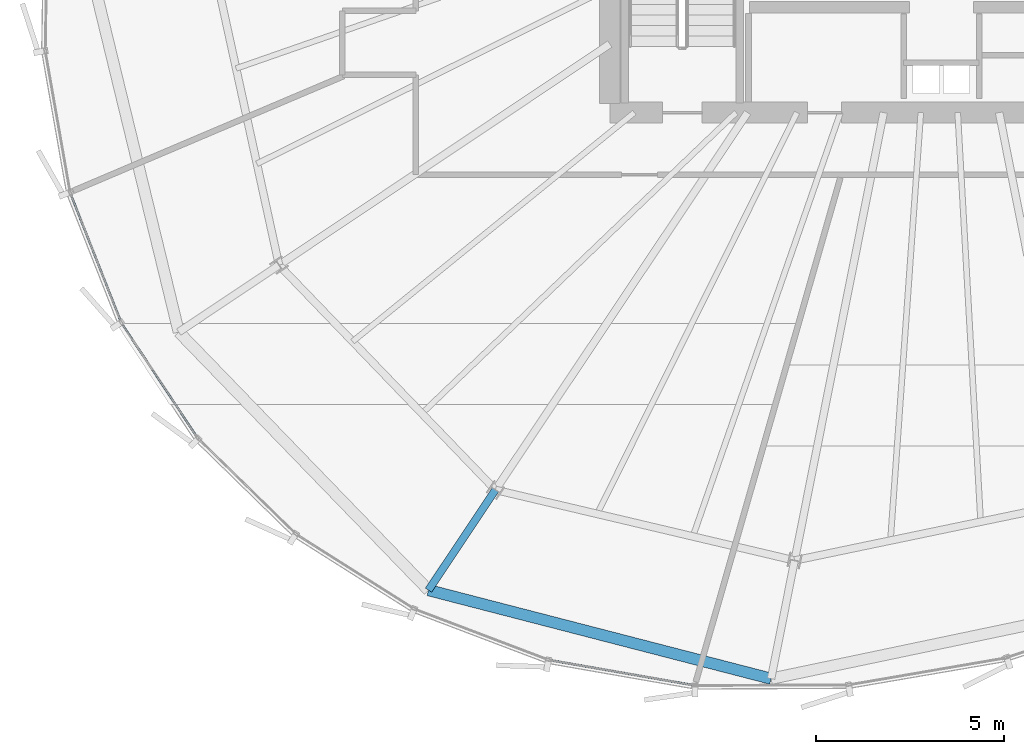
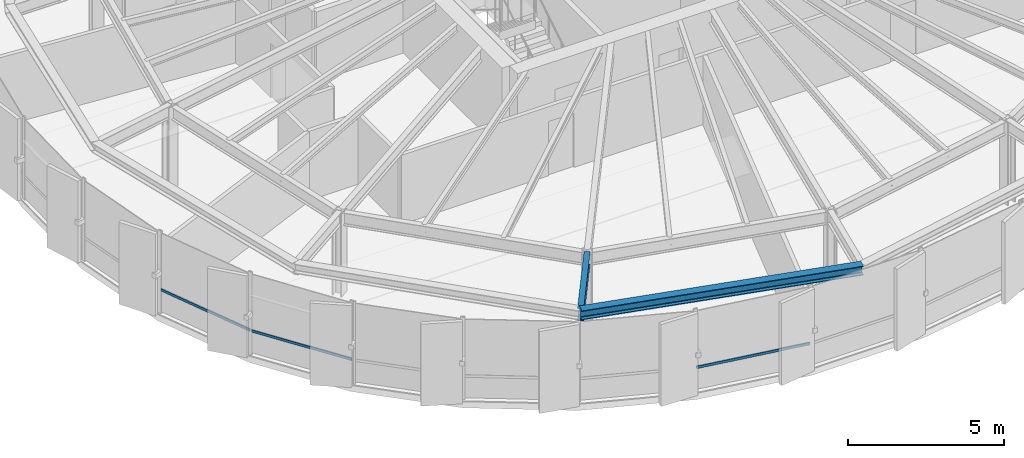
# One storey, part 3 of 35: 3 members, 2 beams, 2 elements without a shape of their own.
"""IFC4 building model written with IfcOpenShell, lengths in metres."""

import ifcopenshell
import ifcopenshell.guid

model = None  # the IFC model being written
_history = None  # IfcOwnerHistory: only IFC2X3 demands one
_inside = {}  # id of a spatial element -> (the spatial element, [elements in it])
_under = {}  # id of a project, library or spatial element -> (it, [spatial elements below it])
_declared = {}  # id of a project -> (the project, [libraries it declares])
_typed = {}  # id of a type object -> (the type object, [elements of that type])
_made_of = {}  # id of a material, layer set ... -> (it, [elements and type objects made of it])


def new_model(schema):
    """Start an empty IFC model of exactly this schema.

    Asked for "IFC4X3", IfcOpenShell would pick the latest addendum, in which some entities
    have other attributes; the version numbers below select the first issue.
    IFC2X3 requires an IfcOwnerHistory on every rooted entity: one is made here for all.
    """
    global model, _history
    if schema == "IFC4X3":
        model = ifcopenshell.file(schema_version=(4, 3, 0, 0))
    else:
        model = ifcopenshell.file(schema=schema)
    _inside.clear()
    _under.clear()
    _declared.clear()
    _typed.clear()
    _made_of.clear()
    _history = None
    if model.schema == "IFC2X3":
        org = make("IfcOrganization", Name="unknown")
        user = make(
            "IfcPersonAndOrganization",
            ThePerson=make("IfcPerson", FamilyName="unknown"),
            TheOrganization=org,
        )
        app = make(
            "IfcApplication",
            ApplicationDeveloper=org,
            Version="unknown",
            ApplicationFullName="unknown",
            ApplicationIdentifier="unknown",
        )
        _history = make(
            "IfcOwnerHistory",
            OwningUser=user,
            OwningApplication=app,
            ChangeAction="ADDED",
            CreationDate=0,
        )
    return model


def make(cls, **values):
    """One entity of the class cls with the attributes given. An attribute that is None is left unset."""
    return model.create_entity(
        cls, **{name: value for name, value in values.items() if value is not None}
    )


def rooted(cls, **values):
    """An entity with a GlobalId (a new one), such as an element, a storey or a relation."""
    return make(cls, GlobalId=ifcopenshell.guid.new(), OwnerHistory=_history, **values)


def si_unit(unit_type, name, prefix=None):
    """IfcSIUnit, for example si_unit("LENGTHUNIT", "METRE", prefix="MILLI")."""
    return make("IfcSIUnit", UnitType=unit_type, Prefix=prefix, Name=name)


def assignment(units):
    """IfcUnitAssignment: the units of a project."""
    return None if units is None else make("IfcUnitAssignment", Units=units)


def point(xyz):
    """IfcCartesianPoint."""
    return None if xyz is None else make("IfcCartesianPoint", Coordinates=xyz)


def direction(xyz):
    """IfcDirection."""
    return None if xyz is None else make("IfcDirection", DirectionRatios=xyz)


def frame(location, z_axis=None, x_axis=None):
    """IfcAxis2Placement3D, a coordinate frame: its origin and axes. An axis left out is left unset."""
    return make(
        "IfcAxis2Placement3D",
        Location=point(location),
        Axis=direction(z_axis),
        RefDirection=direction(x_axis),
    )


def frame_2d(location, x_axis=None):
    """IfcAxis2Placement2D, a coordinate frame in the plane: its origin and x axis."""
    return make(
        "IfcAxis2Placement2D", Location=point(location), RefDirection=direction(x_axis)
    )


def origin():
    """The frame at (0, 0, 0) with its axes left unset."""
    return frame((0.0, 0.0, 0.0))


def origin_2d():
    """The frame at (0, 0) in the plane with its x axis left unset."""
    return frame_2d((0.0, 0.0))


def place(relative_to, where):
    """IfcLocalPlacement: puts the frame where relative to a parent placement (None: the world)."""
    return make(
        "IfcLocalPlacement", PlacementRelTo=relative_to, RelativePlacement=where
    )


def context(
    kind, dimensions, precision=None, world=None, true_north=None, identifier=None
):
    """IfcGeometricRepresentationContext, for example the 3D "Model" context."""
    return make(
        "IfcGeometricRepresentationContext",
        ContextIdentifier=identifier,
        ContextType=kind,
        CoordinateSpaceDimension=dimensions,
        Precision=precision,
        WorldCoordinateSystem=world,
        TrueNorth=true_north,
    )


def subcontext(parent, identifier, kind, view, scale=None):
    """IfcGeometricRepresentationSubContext, for example "Body" below "Model"."""
    return make(
        "IfcGeometricRepresentationSubContext",
        ContextIdentifier=identifier,
        ContextType=kind,
        ParentContext=parent,
        TargetScale=scale,
        TargetView=view,
    )


def project(units=None, contexts=None):
    """IfcProject with its units and contexts."""
    return rooted(
        "IfcProject",
        Name="project",
        RepresentationContexts=contexts,
        UnitsInContext=assignment(units),
    )


def spatial(cls, under=None, at=None, **own):
    """A site, building, storey or space (cls), placed at a placement, below another one or the project."""
    s = rooted(cls, ObjectPlacement=at, **own)
    if under is not None:
        _under.setdefault(under.id(), (under, []))[1].append(s)
    return s


def profile(cls, at=None, kind="AREA", **sizes):
    """A parametric profile (cls). Its sizes go by their IFC names, for example OverallWidth=200.0."""
    return make(cls, ProfileType=kind, Position=at, **sizes)


def hollow_rectangle(**sizes):
    """IfcRectangleHollowProfileDef."""
    return profile("IfcRectangleHollowProfileDef", **sizes)


def i_section(**sizes):
    """IfcIShapeProfileDef."""
    return profile("IfcIShapeProfileDef", **sizes)


def extrude(swept, where, along, depth):
    """IfcExtrudedAreaSolid: the profile swept, set in the frame where, extruded along a direction by depth."""
    return make(
        "IfcExtrudedAreaSolid",
        SweptArea=swept,
        Position=where,
        ExtrudedDirection=direction(along),
        Depth=depth,
    )


def shape(context_of_items, identifier, shape_type, items):
    """IfcShapeRepresentation: the items that make up one representation, for example the "Body"."""
    return make(
        "IfcShapeRepresentation",
        ContextOfItems=context_of_items,
        RepresentationIdentifier=identifier,
        RepresentationType=shape_type,
        Items=items,
    )


def source(mapping_origin, context_of_items, identifier, shape_type, items):
    """IfcRepresentationMap: a shape defined once, which mapped items show again and again."""
    return make(
        "IfcRepresentationMap",
        MappingOrigin=mapping_origin,
        MappedRepresentation=shape(context_of_items, identifier, shape_type, items),
    )


def transform(
    local_origin,
    x_axis=None,
    y_axis=None,
    z_axis=None,
    scale=None,
    scale2=None,
    scale3=None,
    uniform=True,
):
    """IfcCartesianTransformationOperator3D, or its non-uniform kind. x_axis, y_axis, z_axis: its Axis1, 2, 3."""
    if uniform:
        return make(
            "IfcCartesianTransformationOperator3D",
            Axis1=direction(x_axis),
            Axis2=direction(y_axis),
            LocalOrigin=point(local_origin),
            Scale=scale,
            Axis3=direction(z_axis),
        )
    return make(
        "IfcCartesianTransformationOperator3DnonUniform",
        Axis1=direction(x_axis),
        Axis2=direction(y_axis),
        LocalOrigin=point(local_origin),
        Scale=scale,
        Axis3=direction(z_axis),
        Scale2=scale2,
        Scale3=scale3,
    )


def mapped(mapping_source, mapping_target):
    """IfcMappedItem: shows the shape of a source again, moved by a transform."""
    return make(
        "IfcMappedItem", MappingSource=mapping_source, MappingTarget=mapping_target
    )


def material(Name=None, Category=None):
    """IfcMaterial."""
    return make("IfcMaterial", Name=Name, Category=Category)


def layer(
    of_material, thickness, ventilated=None, Name=None, Category=None, Priority=None
):
    """IfcMaterialLayer: one layer of a wall or slab, of a material (None: an air gap)."""
    return make(
        "IfcMaterialLayer",
        Material=of_material,
        LayerThickness=thickness,
        IsVentilated=ventilated,
        Name=Name,
        Category=Category,
        Priority=Priority,
    )


def layer_set(layers, Name=None):
    """IfcMaterialLayerSet."""
    return make("IfcMaterialLayerSet", MaterialLayers=layers, LayerSetName=Name)


def material_profile(
    of_material, cross_section, Name=None, Category=None, Priority=None
):
    """IfcMaterialProfile: a cross section and its material."""
    return make(
        "IfcMaterialProfile",
        Name=Name,
        Material=of_material,
        Profile=cross_section,
        Priority=Priority,
        Category=Category,
    )


def profile_set(profiles, Name=None, composite=None):
    """IfcMaterialProfileSet."""
    return make(
        "IfcMaterialProfileSet",
        Name=Name,
        MaterialProfiles=profiles,
        CompositeProfile=composite,
    )


def made_of(thing, what):
    """Note that an element or type object is made of a material, layer set ...; save() writes the relation."""
    if what is not None:
        _made_of.setdefault(what.id(), (what, []))[1].append(thing)
    return thing


def type_object(cls, material=None, **own):
    """A type object (cls), such as IfcWallType, which elements share."""
    return made_of(rooted(cls, **own), material)


def element(
    cls,
    number,
    at=None,
    inside=None,
    cuts=None,
    type_object=None,
    material=None,
    context=None,
    identifier="Body",
    shape_type=None,
    held_by="IfcProductDefinitionShape",
    body=None,
    shapes=None,
    **own,
):
    """One element of the class cls, such as IfcWall. Its Tag is "e" and its number.

    at: its placement. inside: the storey or other place that contains it. cuts: it is an
    opening in that element (IfcRelVoidsElement). A single representation is given by context,
    identifier, shape_type and body (its items); several are given by shapes. held_by: the class
    of the entity that holds the representations. save() writes the other relations.
    """
    e = rooted(cls, Tag="e%d" % number, ObjectPlacement=at, **own)
    if body is not None:
        shapes = [shape(context, identifier, shape_type, body)]
    if shapes is not None:
        e.Representation = make(held_by, Representations=shapes)
    if inside is not None:
        _inside.setdefault(inside.id(), (inside, []))[1].append(e)
    if cuts is not None:
        rooted(
            "IfcRelVoidsElement", RelatingBuildingElement=cuts, RelatedOpeningElement=e
        )
    if type_object is not None:
        _typed.setdefault(type_object.id(), (type_object, []))[1].append(e)
    return made_of(e, material)


def aggregate(whole, parts):
    """IfcRelAggregates: a whole, such as a stair, and the parts it consists of."""
    return rooted("IfcRelAggregates", RelatingObject=whole, RelatedObjects=parts)


def save(model, path):
    """Write the relations noted so far, then the file.

    IfcRelAggregates (storeys below a building ...), IfcRelContainedInSpatialStructure (elements
    in a storey), IfcRelDefinesByType, IfcRelAssociatesMaterial and IfcRelDeclares: one each for
    every whole, place, type object, material and project.
    """
    for whole, parts in _under.values():
        aggregate(whole, parts)
    for where, things in _inside.values():
        rooted(
            "IfcRelContainedInSpatialStructure",
            RelatedElements=things,
            RelatingStructure=where,
        )
    for kind, things in _typed.values():
        rooted("IfcRelDefinesByType", RelatedObjects=things, RelatingType=kind)
    for what, things in _made_of.values():
        rooted("IfcRelAssociatesMaterial", RelatedObjects=things, RelatingMaterial=what)
    for by, libraries in _declared.values():
        rooted("IfcRelDeclares", RelatingContext=by, RelatedDefinitions=libraries)
    model.write(path)


model = new_model("IFC4")

# Units and contexts
model_context = context("Model", 3, precision=1e-05, world=origin(), true_north=direction((0.0, 1.0)))
body_context = subcontext(model_context, "Body", "Model", "MODEL_VIEW")
ifc_project = project(units=[si_unit("LENGTHUNIT", "METRE"), si_unit("AREAUNIT", "SQUARE_METRE"), si_unit("VOLUMEUNIT", "CUBIC_METRE"), si_unit("PLANEANGLEUNIT", "RADIAN"), si_unit("MASSUNIT", "GRAM", prefix="KILO"), si_unit("THERMODYNAMICTEMPERATUREUNIT", "KELVIN")], contexts=[model_context])

# Site, building, storey
site_placement = place(None, origin())
site = spatial("IfcSite", under=ifc_project, at=site_placement, CompositionType="ELEMENT")
building_placement = place(site_placement, origin())
building = spatial("IfcBuilding", under=site, at=building_placement, Name="Kethvar Cultural Tower", CompositionType="ELEMENT")
storey_placement = place(building_placement, frame((0.0, 0.0, 193.89990234375)))
storey = spatial("IfcBuildingStorey", under=building, at=storey_placement, Name="L50", CompositionType="ELEMENT", Elevation=193.89990234375)

# Beams
ifc_material_1 = material(Name="Steel S355J2", Category="steel")
ifc_material_profile_1 = material_profile(ifc_material_1, i_section(OverallWidth=0.199951171875, OverallDepth=0.5, WebThickness=0.01025390625, FlangeThickness=0.01611328125, FilletRadius=0.02099609375, at=origin_2d()), Name="Steel S355J2 — IPE500")
ifc_profile_set_1 = profile_set([ifc_material_profile_1], Name="Steel S355J2 — IPE500")
beam_type_1 = type_object("IfcBeamType", Name="BM-IPE500", PredefinedType="BEAM", material=ifc_profile_set_1)
shared_shape_1 = source(origin(), body_context, "Body", "SweptSolid", [
    extrude(i_section(OverallWidth=0.199951171875, OverallDepth=0.5, WebThickness=0.01025390625, FlangeThickness=0.01611328125, FilletRadius=0.02099609375, at=origin_2d()), origin(), (0.0, 0.0, 1.0), 3.199951171875),
])
beam_1_placement = place(storey_placement, frame((34.962646484375, 10.084228515625, 3.008056640625), z_axis=(-0.555580212716, -0.831462943996, 0.0), x_axis=(0.831462943996, -0.555580212716, 0.0)))
element("IfcBeam", 1, at=beam_1_placement, inside=storey, type_object=beam_type_1, Name="L50 Perimeter Cantilever Beam RC-11", PredefinedType="BEAM", context=body_context, shape_type="MappedRepresentation", body=[
    mapped(shared_shape_1, transform((0.0, 0.0, 0.0), scale=1.0)),
])
ifc_material_profile_2 = material_profile(ifc_material_1, i_section(OverallWidth=0.300048828125, OverallDepth=0.360107421875, WebThickness=0.012451171875, FlangeThickness=0.0224609375, FilletRadius=0.027099609375, at=origin_2d()), Name="Steel S355J2 — HEB360")
ifc_profile_set_2 = profile_set([ifc_material_profile_2], Name="Steel S355J2 — HEB360")
beam_type_2 = type_object("IfcBeamType", Name="BM-SP360", PredefinedType="SPANDREL", material=ifc_profile_set_2)
shared_shape_2 = source(origin(), body_context, "Body", "SweptSolid", [
    extrude(i_section(OverallWidth=0.300048828125, OverallDepth=0.360107421875, WebThickness=0.012451171875, FlangeThickness=0.0224609375, FilletRadius=0.027099609375, at=origin_2d()), origin(), (0.0, 0.0, 1.0), 9.3935546875),
])
beam_2_placement = place(storey_placement, frame((33.184814453125, 7.423583984375, 3.078125), z_axis=(0.968171347754, -0.250288316525, 0.0), x_axis=(0.250288316525, 0.968171347754, 0.0)))
element("IfcBeam", 2, at=beam_2_placement, inside=storey, type_object=beam_type_2, Name="L50 Perimeter Spandrel Beam SP-11", PredefinedType="SPANDREL", context=body_context, shape_type="MappedRepresentation", body=[
    mapped(shared_shape_2, transform((0.0, 0.0, 0.0), scale=1.0)),
])

# Curtain wall, members
ifc_material_2 = material(Name="Aluminium 6063-T6", Category="aluminium")
ifc_layer = layer(ifc_material_2, 0.179931640625, Name="Aluminium 6063-T6", Category="aluminium")
ifc_layer_set = layer_set([ifc_layer], Name="Aluminium 6063-T6 (180 mm)")
curtain_wall_type = type_object("IfcCurtainWallType", Name="CW-SYS-04-Z34", PredefinedType="NOTDEFINED", material=ifc_layer_set)
curtain_wall_1_placement = place(storey_placement, origin())
curtain_wall_1 = element("IfcCurtainWall", 3, at=curtain_wall_1_placement, inside=storey, type_object=curtain_wall_type, Name="L50 Curtain Wall Run 03", PredefinedType="NOTDEFINED")
ifc_material_profile_3 = material_profile(ifc_material_2, hollow_rectangle(XDim=0.050048828125, YDim=0.10009765625, WallThickness=0.00390625, at=origin_2d()), Name="Aluminium 6063-T6 — RHS100x50x4")
ifc_profile_set_3 = profile_set([ifc_material_profile_3], Name="Aluminium 6063-T6 — RHS100x50x4")
member_type = type_object("IfcMemberType", Name="CW-SYS-04-Z34-TRN", PredefinedType="USERDEFINED", material=ifc_profile_set_3)
shared_shape_3 = source(origin(), body_context, "Body", "SweptSolid", [
    extrude(hollow_rectangle(XDim=0.050048828125, YDim=0.10009765625, WallThickness=0.00390625, at=origin_2d()), origin(), (0.0, 0.0, 1.0), 3.651123046875),
])
member_1_placement = place(storey_placement, frame((23.683349609375, 17.944091796875, 0.9501953125), z_axis=(0.366508731303, -0.930414611815, 0.0), x_axis=(0.930414611815, 0.366508731303, 0.0)))
member_1 = element("IfcMember", 4, at=member_1_placement, type_object=member_type, Name="CW-L50-R03 Transom 5", ObjectType="TRANSOM", PredefinedType="USERDEFINED", context=body_context, shape_type="MappedRepresentation", body=[
    mapped(shared_shape_3, transform((0.0, 0.0, 0.0), scale=1.0)),
])
shared_shape_4 = source(origin(), body_context, "Body", "SweptSolid", [
    extrude(hollow_rectangle(XDim=0.050048828125, YDim=0.10009765625, WallThickness=0.00390625, at=origin_2d()), origin(), (0.0, 0.0, 1.0), 3.59814453125),
])
member_2_placement = place(storey_placement, frame((25.050537109375, 14.4912109375, 0.9501953125), z_axis=(0.55211391645, -0.833768686904, 0.0), x_axis=(0.833768686904, 0.55211391645, 0.0)))
member_2 = element("IfcMember", 5, at=member_2_placement, type_object=member_type, Name="CW-L50-R03 Transom 6", ObjectType="TRANSOM", PredefinedType="USERDEFINED", context=body_context, shape_type="MappedRepresentation", body=[
    mapped(shared_shape_4, transform((0.0, 0.0, 0.0), scale=1.0)),
])
aggregate(curtain_wall_1, [member_1, member_2])

# Curtain wall, member
curtain_wall_2_placement = place(storey_placement, origin())
curtain_wall_2 = element("IfcCurtainWall", 6, at=curtain_wall_2_placement, inside=storey, type_object=curtain_wall_type, Name="L50 Curtain Wall Run 04", PredefinedType="NOTDEFINED")
shared_shape_5 = source(origin(), body_context, "Body", "SweptSolid", [
    extrude(hollow_rectangle(XDim=0.050048828125, YDim=0.10009765625, WallThickness=0.00390625, at=origin_2d()), origin(), (0.0, 0.0, 1.0), 3.87548828125),
])
member_3_placement = place(storey_placement, frame((36.411865234375, 5.564697265625, 0.9501953125), z_axis=(0.985122851021, -0.171851588284, 0.0), x_axis=(0.171851588284, 0.985122851021, 0.0)))
member_3 = element("IfcMember", 7, at=member_3_placement, type_object=member_type, Name="CW-L50-R04 Transom 4", ObjectType="TRANSOM", PredefinedType="USERDEFINED", context=body_context, shape_type="MappedRepresentation", body=[
    mapped(shared_shape_5, transform((0.0, 0.0, 0.0), scale=1.0)),
])
aggregate(curtain_wall_2, [member_3])

save(model, "model.ifc")
